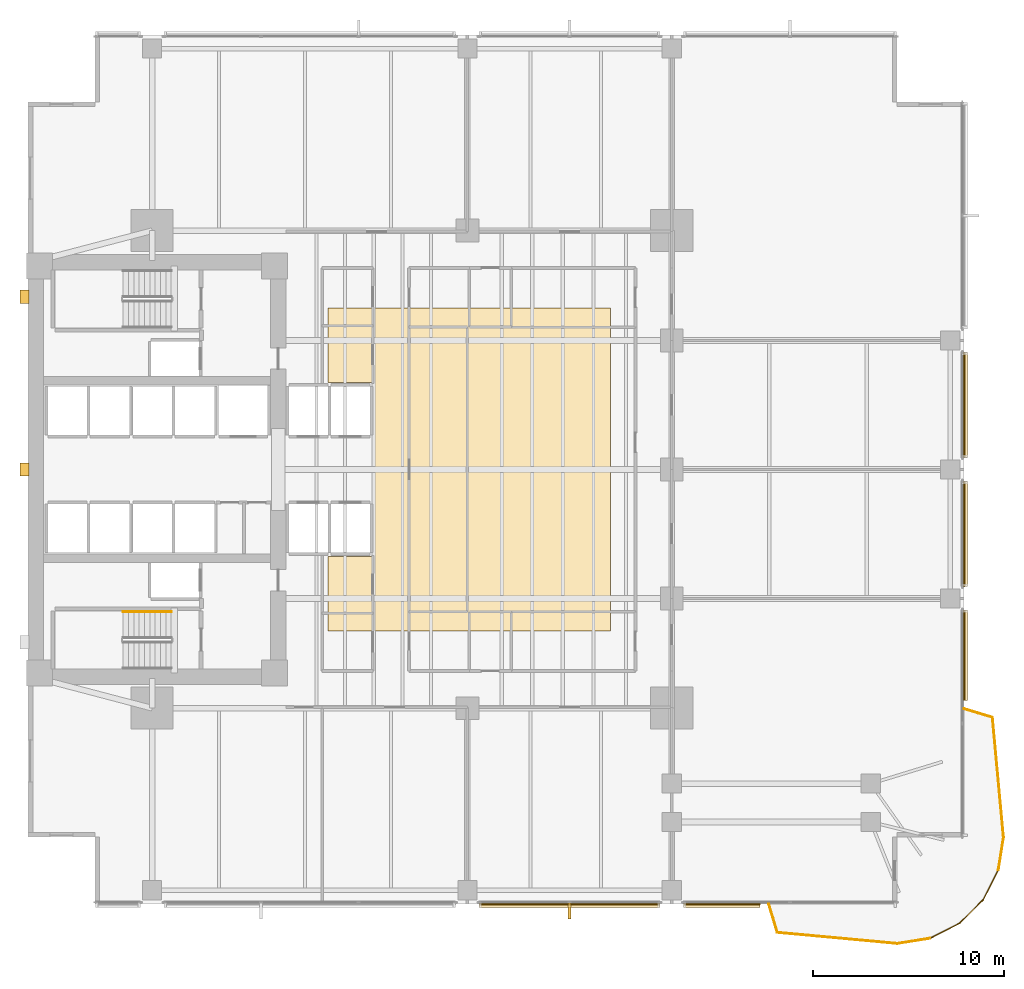
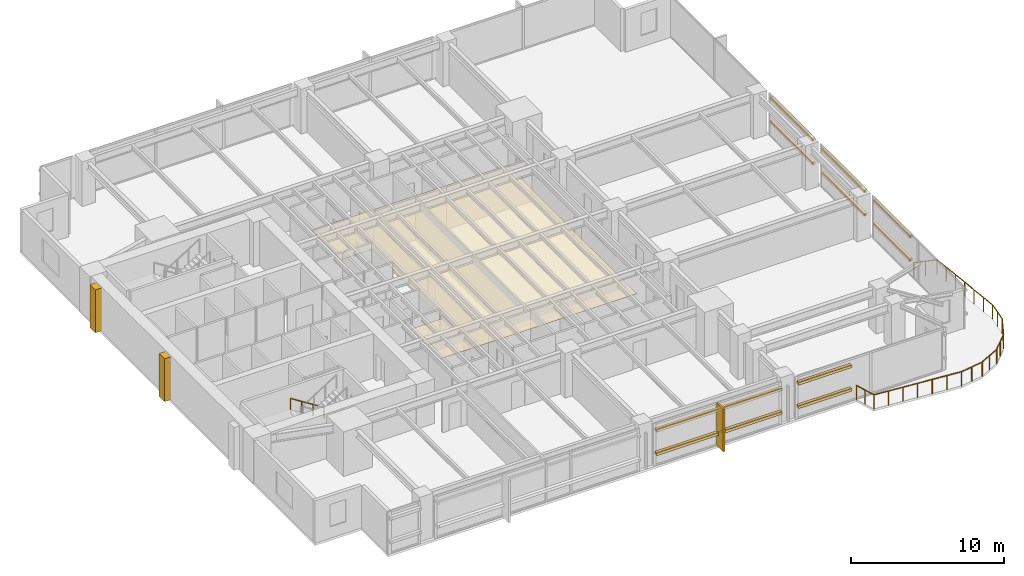
# One storey, part 13 of 15: 14 coverings, 10 railings, 10 shading devices.
"""IFC4 building model written with IfcOpenShell, lengths in metres."""

from ifc_helpers import new_model, si_unit, direction, frame, origin, origin_2d, place, context, subcontext, project, spatial, polyline, rectangle, circle, outline, extrude, material, layer, layer_set, material_profile, profile_set, type_object, element, save


model = new_model("IFC4")

# Units and contexts
model_context = context("Model", 3, precision=1e-05, world=origin(), true_north=direction((0.0, 1.0)))
body_context = subcontext(model_context, "Body", "Model", "MODEL_VIEW")
ifc_project = project(units=[si_unit("LENGTHUNIT", "METRE"), si_unit("AREAUNIT", "SQUARE_METRE"), si_unit("VOLUMEUNIT", "CUBIC_METRE"), si_unit("PLANEANGLEUNIT", "RADIAN"), si_unit("MASSUNIT", "GRAM", prefix="KILO")], contexts=[model_context])

# Site, building, storey
site_placement = place(None, origin())
site = spatial("IfcSite", under=ifc_project, at=site_placement, CompositionType="ELEMENT")
building_placement = place(site_placement, origin())
building = spatial("IfcBuilding", under=site, at=building_placement, Name="Kinhvarn Gate Tower", CompositionType="ELEMENT")
storey_placement = place(building_placement, frame((0.0, 0.0, 29.14990234375)))
storey = spatial("IfcBuildingStorey", under=building, at=storey_placement, Name="L06", CompositionType="ELEMENT", Elevation=29.14990234375)

# Coverings
ifc_material_1 = material(Name="Fired architectural terracotta", Category="masonry")
ifc_layer_1 = layer(ifc_material_1, 0.239990234375)
ifc_layer_set_1 = layer_set([ifc_layer_1], Name="Fired architectural terracotta")
covering_type_1 = type_object("IfcCoveringType", Name="COV-BAG-220", PredefinedType="CLADDING", material=ifc_layer_set_1)
for number, where, name in (
    (1, (0.0, 0.0, 0.940185546875), "Terracotta Horizontal Sunscreen Band TBG-220 (L06)"),
    (2, (0.0, 0.0, 2.81005859375), "Terracotta Horizontal Sunscreen Band TBG-220 (L06)"),
):
    element("IfcCovering", number, at=place(storey_placement, frame(where)), inside=storey, type_object=covering_type_1, Name=name, PredefinedType="CLADDING", context=body_context, shape_type="SweptSolid", body=[
        extrude(outline(polyline([(28.1201171875, 2.56005859375), (37.580078125, 2.56005859375), (37.580078125, 2.320068359375), (28.1201171875, 2.320068359375), (28.1201171875, 2.56005859375)])), origin(), (0.0, 0.0, 1.0), 0.219970703125),
    ])
for number, where, name in (
    (3, (0.0, 0.0, 0.940185546875), "Terracotta Horizontal Sunscreen Band TBG-220 (L06)"),
    (4, (0.0, 0.0, 2.81005859375), "Terracotta Horizontal Sunscreen Band TBG-220 (L06)"),
):
    element("IfcCovering", number, at=place(storey_placement, frame(where)), inside=storey, type_object=covering_type_1, Name=name, PredefinedType="CLADDING", context=body_context, shape_type="SweptSolid", body=[
        extrude(outline(polyline([(38.820068359375, 2.56005859375), (42.8330078125, 2.56005859375), (42.8330078125, 2.320068359375), (38.820068359375, 2.320068359375), (38.820068359375, 2.56005859375)])), origin(), (0.0, 0.0, 1.0), 0.219970703125),
    ])
for number, where, name in (
    (5, (0.0, 0.0, 0.940185546875), "Terracotta Horizontal Sunscreen Band TBG-220 (L06)"),
    (6, (0.0, 0.0, 2.81005859375), "Terracotta Horizontal Sunscreen Band TBG-220 (L06)"),
):
    element("IfcCovering", number, at=place(storey_placement, frame(where)), inside=storey, type_object=covering_type_1, Name=name, PredefinedType="CLADDING", context=body_context, shape_type="SweptSolid", body=[
        extrude(outline(polyline([(53.43994140625, 13.1669921875), (53.43994140625, 17.8798828125), (53.679931640625, 17.8798828125), (53.679931640625, 13.1669921875), (53.43994140625, 13.1669921875)])), origin(), (0.0, 0.0, 1.0), 0.219970703125),
    ])
for number, where, name in (
    (7, (0.0, 0.0, 0.940185546875), "Terracotta Horizontal Sunscreen Band TBG-220 (L06)"),
    (8, (0.0, 0.0, 2.81005859375), "Terracotta Horizontal Sunscreen Band TBG-220 (L06)"),
):
    element("IfcCovering", number, at=place(storey_placement, frame(where)), inside=storey, type_object=covering_type_1, Name=name, PredefinedType="CLADDING", context=body_context, shape_type="SweptSolid", body=[
        extrude(outline(polyline([(53.43994140625, 19.1201171875), (53.43994140625, 24.6298828125), (53.679931640625, 24.6298828125), (53.679931640625, 19.1201171875), (53.43994140625, 19.1201171875)])), origin(), (0.0, 0.0, 1.0), 0.219970703125),
    ])
for number, where, name in (
    (9, (0.0, 0.0, 0.940185546875), "Terracotta Horizontal Sunscreen Band TBG-220 (L06)"),
    (10, (0.0, 0.0, 2.81005859375), "Terracotta Horizontal Sunscreen Band TBG-220 (L06)"),
):
    element("IfcCovering", number, at=place(storey_placement, frame(where)), inside=storey, type_object=covering_type_1, Name=name, PredefinedType="CLADDING", context=body_context, shape_type="SweptSolid", body=[
        extrude(outline(polyline([(53.43994140625, 25.8701171875), (53.43994140625, 31.3798828125), (53.679931640625, 31.3798828125), (53.679931640625, 25.8701171875), (53.43994140625, 25.8701171875)])), origin(), (0.0, 0.0, 1.0), 0.219970703125),
    ])
ifc_material_2 = material(Name="Mineral-fibre acoustic ceiling tile")
ifc_layer_2 = layer(ifc_material_2, 0.02001953125)
ifc_layer_set_2 = layer_set([ifc_layer_2], Name="Mineral-fibre acoustic ceiling tile")
covering_type_2 = type_object("IfcCoveringType", Name="COV-CEIL-20", PredefinedType="CEILING", material=ifc_layer_set_2)
covering_1_placement = place(storey_placement, frame((0.0, 0.0, 2.650146484375)))
element("IfcCovering", 11, at=covering_1_placement, inside=storey, type_object=covering_type_2, Name="Suspended Acoustic Ceiling Tile (L06-1)", PredefinedType="CEILING", context=body_context, shape_type="SweptSolid", body=[
    extrude(outline(polyline([(35.0, 33.699951171875), (35.0, 16.800048828125), (20.199951171875, 16.800048828125), (20.199951171875, 20.699951171875), (22.60009765625, 20.699951171875), (22.60009765625, 29.800048828125), (20.199951171875, 29.800048828125), (20.199951171875, 33.699951171875), (35.0, 33.699951171875)])), origin(), (0.0, 0.0, 1.0), 0.02001953125),
])
ifc_layer_3 = layer(ifc_material_1, 0.139892578125)
ifc_layer_set_3 = layer_set([ifc_layer_3], Name="Fired architectural terracotta")
covering_type_3 = type_object("IfcCoveringType", Name="COV-FIN-850", PredefinedType="CLADDING", material=ifc_layer_set_3)
covering_2_placement = place(storey_placement, frame((0.0, 0.0, -0.02001953125)))
element("IfcCovering", 12, at=covering_2_placement, inside=storey, type_object=covering_type_3, Name="Vertical Terracotta Expressive Fin TFN-850 (L06)", PredefinedType="CLADDING", context=body_context, shape_type="SweptSolid", body=[
    extrude(outline(polyline([(32.780029296875, 2.570068359375), (32.919921875, 2.570068359375), (32.919921875, 1.719970703125), (32.780029296875, 1.719970703125), (32.780029296875, 2.570068359375)])), origin(), (0.0, 0.0, 1.0), 3.41015625),
])
ifc_material_3 = material(Name="Precast white architectural concrete C40/50", Category="concrete")
ifc_layer_4 = layer(ifc_material_3, 0.47998046875)
ifc_layer_set_4 = layer_set([ifc_layer_4], Name="Precast white architectural concrete C40/50")
covering_type_4 = type_object("IfcCoveringType", Name="COV-RIB-450", PredefinedType="CLADDING", material=ifc_layer_set_4)
covering_3_placement = place(storey_placement, frame((0.0, 0.0, -0.02001953125)))
element("IfcCovering", 13, at=covering_3_placement, inside=storey, type_object=covering_type_4, Name="West Core Sculptural Concrete Relief Rib CRB-450 (L06)", PredefinedType="CLADDING", context=body_context, shape_type="SweptSolid", body=[
    extrude(outline(polyline([(4.080078125, 24.89990234375), (4.56005859375, 24.89990234375), (4.56005859375, 25.60009765625), (4.080078125, 25.60009765625), (4.080078125, 24.89990234375)])), origin(), (0.0, 0.0, 1.0), 3.41015625),
])
covering_4_placement = place(storey_placement, frame((0.0, 0.0, -0.02001953125)))
element("IfcCovering", 14, at=covering_4_placement, inside=storey, type_object=covering_type_4, Name="West Core Sculptural Concrete Relief Rib CRB-450 (L06)", PredefinedType="CLADDING", context=body_context, shape_type="SweptSolid", body=[
    extrude(outline(polyline([(4.080078125, 33.949951171875), (4.56005859375, 33.949951171875), (4.56005859375, 34.64990234375), (4.080078125, 34.64990234375), (4.080078125, 33.949951171875)])), origin(), (0.0, 0.0, 1.0), 3.41015625),
])

# Railings
ifc_material_4 = material(Name="Clear low-e double glazing", Category="glass")
railing_type_1 = type_object("IfcRailingType", Name="RL-BAL-1150", PredefinedType="BALUSTRADE", material=ifc_material_4)
railing_1_placement = place(storey_placement, frame((43.282958984375, 2.5, 0.0)))
element("IfcRailing", 15, at=railing_1_placement, inside=storey, type_object=railing_type_1, Name="S-Carve Balcony Guardrail Seg 1 (L06)", PredefinedType="BALUSTRADE", context=body_context, shape_type="SweptSolid", body=[
    extrude(circle(Radius=0.02392578125, at=origin_2d()), frame((0.0, 0.0, 1.1259765625), z_axis=(0.289001880365, -0.95732852937, 0.0), x_axis=(0.95732852937, 0.289001880365, 0.0)), (0.0, 0.0, 1.0), 1.556884765625),
    extrude(circle(Radius=0.02099609375, at=origin_2d()), origin(), (0.0, 0.0, 1.0), 1.101806640625),
    extrude(circle(Radius=0.02099609375, at=origin_2d()), frame((0.22509765625, -0.7451171875, 0.0)), (0.0, 0.0, 1.0), 1.101806640625),
    extrude(circle(Radius=0.02099609375, at=origin_2d()), frame((0.449951171875, -1.490478515625, 0.0)), (0.0, 0.0, 1.0), 1.101806640625),
])
railing_2_placement = place(storey_placement, frame((43.73291015625, 1.009521484375, 0.0)))
element("IfcRailing", 16, at=railing_2_placement, inside=storey, type_object=railing_type_1, Name="S-Carve Balcony Guardrail Seg 2 (L06)", PredefinedType="BALUSTRADE", context=body_context, shape_type="SweptSolid", body=[
    extrude(circle(Radius=0.02392578125, at=origin_2d()), frame((0.0, 0.0, 1.1259765625), z_axis=(0.995750823964, -0.092088525753, 0.0), x_axis=(0.092088525753, 0.995750823964, 0.0)), (0.0, 0.0, 1.0), 6.2939453125),
    extrude(circle(Radius=0.02099609375, at=origin_2d()), origin(), (0.0, 0.0, 1.0), 1.101806640625),
    extrude(circle(Radius=0.02099609375, at=origin_2d()), frame((1.04443359375, -0.0966796875, 0.0)), (0.0, 0.0, 1.0), 1.101806640625),
    extrude(circle(Radius=0.02099609375, at=origin_2d()), frame((2.089111328125, -0.193115234375, 0.0)), (0.0, 0.0, 1.0), 1.101806640625),
    extrude(circle(Radius=0.02099609375, at=origin_2d()), frame((3.133544921875, -0.289794921875, 0.0)), (0.0, 0.0, 1.0), 1.101806640625),
    extrude(circle(Radius=0.02099609375, at=origin_2d()), frame((4.177978515625, -0.386474609375, 0.0)), (0.0, 0.0, 1.0), 1.101806640625),
    extrude(circle(Radius=0.02099609375, at=origin_2d()), frame((5.22265625, -0.48291015625, 0.0)), (0.0, 0.0, 1.0), 1.101806640625),
    extrude(circle(Radius=0.02099609375, at=origin_2d()), frame((6.26708984375, -0.57958984375, 0.0)), (0.0, 0.0, 1.0), 1.101806640625),
])
railing_3_placement = place(storey_placement, frame((50.0, 0.429931640625, 0.0)))
element("IfcRailing", 17, at=railing_3_placement, inside=storey, type_object=railing_type_1, Name="S-Carve Balcony Guardrail Seg 3 (L06)", PredefinedType="BALUSTRADE", context=body_context, shape_type="SweptSolid", body=[
    extrude(circle(Radius=0.02392578125, at=origin_2d()), frame((0.0, 0.0, 1.1259765625), z_axis=(0.987679903771, 0.156487723761, 0.0), x_axis=(-0.156487723761, 0.987679903771, 0.0)), (0.0, 0.0, 1.0), 1.74267578125),
    extrude(circle(Radius=0.02099609375, at=origin_2d()), origin(), (0.0, 0.0, 1.0), 1.101806640625),
    extrude(circle(Radius=0.02099609375, at=origin_2d()), frame((0.860595703125, 0.13623046875, 0.0)), (0.0, 0.0, 1.0), 1.101806640625),
    extrude(circle(Radius=0.02099609375, at=origin_2d()), frame((1.72119140625, 0.272705078125, 0.0)), (0.0, 0.0, 1.0), 1.101806640625),
])
railing_4_placement = place(storey_placement, frame((51.72119140625, 0.70263671875, 0.0)))
element("IfcRailing", 18, at=railing_4_placement, inside=storey, type_object=railing_type_1, Name="S-Carve Balcony Guardrail Seg 4 (L06)", PredefinedType="BALUSTRADE", context=body_context, shape_type="SweptSolid", body=[
    extrude(circle(Radius=0.02392578125, at=origin_2d()), frame((0.0, 0.0, 1.1259765625), z_axis=(0.89098282764, 0.454037003834, 0.0), x_axis=(-0.454037003834, 0.89098282764, 0.0)), (0.0, 0.0, 1.0), 1.74267578125),
    extrude(circle(Radius=0.02099609375, at=origin_2d()), origin(), (0.0, 0.0, 1.0), 1.101806640625),
    extrude(circle(Radius=0.02099609375, at=origin_2d()), frame((0.7763671875, 0.3955078125, 0.0)), (0.0, 0.0, 1.0), 1.101806640625),
    extrude(circle(Radius=0.02099609375, at=origin_2d()), frame((1.552734375, 0.791259765625, 0.0)), (0.0, 0.0, 1.0), 1.101806640625),
])
railing_5_placement = place(storey_placement, frame((53.27392578125, 1.493896484375, 0.0)))
element("IfcRailing", 19, at=railing_5_placement, inside=storey, type_object=railing_type_1, Name="S-Carve Balcony Guardrail Seg 5 (L06)", PredefinedType="BALUSTRADE", context=body_context, shape_type="SweptSolid", body=[
    extrude(circle(Radius=0.02392578125, at=origin_2d()), frame((0.0, 0.0, 1.1259765625), z_axis=(0.707106781187, 0.707106781187, 0.0), x_axis=(-0.707106781187, 0.707106781187, 0.0)), (0.0, 0.0, 1.0), 1.74267578125),
    extrude(circle(Radius=0.02099609375, at=origin_2d()), origin(), (0.0, 0.0, 1.0), 1.101806640625),
    extrude(circle(Radius=0.02099609375, at=origin_2d()), frame((0.6162109375, 0.6162109375, 0.0)), (0.0, 0.0, 1.0), 1.101806640625),
    extrude(circle(Radius=0.02099609375, at=origin_2d()), frame((1.232177734375, 1.232177734375, 0.0)), (0.0, 0.0, 1.0), 1.101806640625),
])
railing_6_placement = place(storey_placement, frame((54.506103515625, 2.72607421875, 0.0)))
element("IfcRailing", 20, at=railing_6_placement, inside=storey, type_object=railing_type_1, Name="S-Carve Balcony Guardrail Seg 6 (L06)", PredefinedType="BALUSTRADE", context=body_context, shape_type="SweptSolid", body=[
    extrude(circle(Radius=0.02392578125, at=origin_2d()), frame((0.0, 0.0, 1.1259765625), z_axis=(0.454037003834, 0.89098282764, 0.0), x_axis=(-0.89098282764, 0.454037003834, 0.0)), (0.0, 0.0, 1.0), 1.74267578125),
    extrude(circle(Radius=0.02099609375, at=origin_2d()), origin(), (0.0, 0.0, 1.0), 1.101806640625),
    extrude(circle(Radius=0.02099609375, at=origin_2d()), frame((0.3955078125, 0.7763671875, 0.0)), (0.0, 0.0, 1.0), 1.101806640625),
    extrude(circle(Radius=0.02099609375, at=origin_2d()), frame((0.791259765625, 1.552734375, 0.0)), (0.0, 0.0, 1.0), 1.101806640625),
])
railing_7_placement = place(storey_placement, frame((55.29736328125, 4.27880859375, 0.0)))
element("IfcRailing", 21, at=railing_7_placement, inside=storey, type_object=railing_type_1, Name="S-Carve Balcony Guardrail Seg 7 (L06)", PredefinedType="BALUSTRADE", context=body_context, shape_type="SweptSolid", body=[
    extrude(circle(Radius=0.02392578125, at=origin_2d()), frame((0.0, 0.0, 1.1259765625), z_axis=(0.156487723761, 0.987679903771, 0.0), x_axis=(-0.987679903771, 0.156487723761, 0.0)), (0.0, 0.0, 1.0), 1.74267578125),
    extrude(circle(Radius=0.02099609375, at=origin_2d()), origin(), (0.0, 0.0, 1.0), 1.101806640625),
    extrude(circle(Radius=0.02099609375, at=origin_2d()), frame((0.13623046875, 0.860595703125, 0.0)), (0.0, 0.0, 1.0), 1.101806640625),
    extrude(circle(Radius=0.02099609375, at=origin_2d()), frame((0.272705078125, 1.72119140625, 0.0)), (0.0, 0.0, 1.0), 1.101806640625),
])
railing_8_placement = place(storey_placement, frame((55.570068359375, 6.0, 0.0)))
element("IfcRailing", 22, at=railing_8_placement, inside=storey, type_object=railing_type_1, Name="S-Carve Balcony Guardrail Seg 8 (L06)", PredefinedType="BALUSTRADE", context=body_context, shape_type="SweptSolid", body=[
    extrude(circle(Radius=0.02392578125, at=origin_2d()), frame((0.0, 0.0, 1.1259765625), z_axis=(-0.092088525753, 0.995750823964, 0.0), x_axis=(-0.995750823964, -0.092088525753, 0.0)), (0.0, 0.0, 1.0), 6.2939453125),
    extrude(circle(Radius=0.02099609375, at=origin_2d()), origin(), (0.0, 0.0, 1.0), 1.101806640625),
    extrude(circle(Radius=0.02099609375, at=origin_2d()), frame((-0.0966796875, 1.04443359375, 0.0)), (0.0, 0.0, 1.0), 1.101806640625),
    extrude(circle(Radius=0.02099609375, at=origin_2d()), frame((-0.193115234375, 2.089111328125, 0.0)), (0.0, 0.0, 1.0), 1.101806640625),
    extrude(circle(Radius=0.02099609375, at=origin_2d()), frame((-0.289794921875, 3.133544921875, 0.0)), (0.0, 0.0, 1.0), 1.101806640625),
    extrude(circle(Radius=0.02099609375, at=origin_2d()), frame((-0.386474609375, 4.177978515625, 0.0)), (0.0, 0.0, 1.0), 1.101806640625),
    extrude(circle(Radius=0.02099609375, at=origin_2d()), frame((-0.48291015625, 5.22265625, 0.0)), (0.0, 0.0, 1.0), 1.101806640625),
    extrude(circle(Radius=0.02099609375, at=origin_2d()), frame((-0.57958984375, 6.26708984375, 0.0)), (0.0, 0.0, 1.0), 1.101806640625),
])
railing_9_placement = place(storey_placement, frame((54.990478515625, 12.26708984375, 0.0)))
element("IfcRailing", 23, at=railing_9_placement, inside=storey, type_object=railing_type_1, Name="S-Carve Balcony Guardrail Seg 9 (L06)", PredefinedType="BALUSTRADE", context=body_context, shape_type="SweptSolid", body=[
    extrude(circle(Radius=0.02392578125, at=origin_2d()), frame((0.0, 0.0, 1.1259765625), z_axis=(-0.95732852937, 0.289001880365, 0.0), x_axis=(-0.289001880365, -0.95732852937, 0.0)), (0.0, 0.0, 1.0), 1.556884765625),
    extrude(circle(Radius=0.02099609375, at=origin_2d()), origin(), (0.0, 0.0, 1.0), 1.101806640625),
    extrude(circle(Radius=0.02099609375, at=origin_2d()), frame((-0.7451171875, 0.22509765625, 0.0)), (0.0, 0.0, 1.0), 1.101806640625),
    extrude(circle(Radius=0.02099609375, at=origin_2d()), frame((-1.490478515625, 0.449951171875, 0.0)), (0.0, 0.0, 1.0), 1.101806640625),
])
ifc_material_5 = material(Name="Steel S355", Category="steel")
railing_type_2 = type_object("IfcRailingType", Name="RL-ST-HND", PredefinedType="HANDRAIL", material=ifc_material_5)
railing_10_placement = place(storey_placement, frame((12.0, 17.800048828125, 0.177490234375)))
element("IfcRailing", 24, at=railing_10_placement, inside=storey, type_object=railing_type_2, Name="L06 ST1 stair handrail 1", PredefinedType="HANDRAIL", context=body_context, shape_type="SweptSolid", body=[
    extrude(circle(Radius=0.02392578125, at=origin_2d()), frame((0.0, 0.0, 0.8759765625), z_axis=(-0.84456994832, 0.0, 0.535445237532), x_axis=(0.0, -1.0, 0.0)), (0.0, 0.0, 1.0), 2.98388671875),
    extrude(circle(Radius=0.02099609375, at=origin_2d()), origin(), (0.0, 0.0, 1.0), 0.851806640625),
    extrude(circle(Radius=0.02099609375, at=origin_2d()), frame((-0.840087890625, 0.0, 0.532470703125)), (0.0, 0.0, 1.0), 0.851806640625),
    extrude(circle(Radius=0.02099609375, at=origin_2d()), frame((-1.679931640625, 0.0, 1.065185546875)), (0.0, 0.0, 1.0), 0.851806640625),
    extrude(circle(Radius=0.02099609375, at=origin_2d()), frame((-2.52001953125, 0.0, 1.59765625)), (0.0, 0.0, 1.0), 0.851806640625),
])

# Shading devices
ifc_material_profile = material_profile(ifc_material_1, rectangle(XDim=0.06005859375, YDim=0.139892578125, at=origin_2d()), Name="TC 60x140")
ifc_profile_set = profile_set([ifc_material_profile], Name="Fired architectural terracotta")
shading_device_type = type_object("IfcShadingDeviceType", Name="SHD-BAG-180", PredefinedType="USERDEFINED", material=ifc_profile_set)
for number, where, z_axis, x_axis, name in (
    (25, (28.1201171875, 2.485107421875, 1.050048828125), (1.0, 0.0, 0.0), (0.0, 1.0, 0.0), "Fired Terracotta Baguette Screen Rod 60x140 mm (L06)"),
    (26, (28.1201171875, 2.485107421875, 2.920166015625), (1.0, 0.0, 0.0), (0.0, 1.0, 0.0), "Fired Terracotta Baguette Screen Rod 60x140 mm (L06)"),
):
    element("IfcShadingDevice", number, at=place(storey_placement, frame(where, z_axis=z_axis, x_axis=x_axis)), inside=storey, type_object=shading_device_type, Name=name, ObjectType="BAGUETTE", PredefinedType="USERDEFINED", context=body_context, shape_type="SweptSolid", body=[
        extrude(rectangle(XDim=0.06005859375, YDim=0.139892578125, at=origin_2d()), origin(), (0.0, 0.0, 1.0), 9.4599609375),
    ])
for number, where, z_axis, x_axis, name in (
    (27, (38.820068359375, 2.485107421875, 1.050048828125), (1.0, 0.0, 0.0), (0.0, 1.0, 0.0), "Fired Terracotta Baguette Screen Rod 60x140 mm (L06)"),
    (28, (38.820068359375, 2.485107421875, 2.920166015625), (1.0, 0.0, 0.0), (0.0, 1.0, 0.0), "Fired Terracotta Baguette Screen Rod 60x140 mm (L06)"),
):
    element("IfcShadingDevice", number, at=place(storey_placement, frame(where, z_axis=z_axis, x_axis=x_axis)), inside=storey, type_object=shading_device_type, Name=name, ObjectType="BAGUETTE", PredefinedType="USERDEFINED", context=body_context, shape_type="SweptSolid", body=[
        extrude(rectangle(XDim=0.06005859375, YDim=0.139892578125, at=origin_2d()), origin(), (0.0, 0.0, 1.0), 4.012939453125),
    ])
for number, where, z_axis, x_axis, name in (
    (29, (53.514892578125, 13.1669921875, 1.050048828125), (0.0, 1.0, 0.0), (-1.0, 0.0, 0.0), "Fired Terracotta Baguette Screen Rod 60x140 mm (L06)"),
    (30, (53.514892578125, 13.1669921875, 2.920166015625), (0.0, 1.0, 0.0), (-1.0, 0.0, 0.0), "Fired Terracotta Baguette Screen Rod 60x140 mm (L06)"),
):
    element("IfcShadingDevice", number, at=place(storey_placement, frame(where, z_axis=z_axis, x_axis=x_axis)), inside=storey, type_object=shading_device_type, Name=name, ObjectType="BAGUETTE", PredefinedType="USERDEFINED", context=body_context, shape_type="SweptSolid", body=[
        extrude(rectangle(XDim=0.06005859375, YDim=0.139892578125, at=origin_2d()), origin(), (0.0, 0.0, 1.0), 4.712890625),
    ])
for number, where, z_axis, x_axis, name in (
    (31, (53.514892578125, 19.1201171875, 1.050048828125), (0.0, 1.0, 0.0), (-1.0, 0.0, 0.0), "Fired Terracotta Baguette Screen Rod 60x140 mm (L06)"),
    (32, (53.514892578125, 19.1201171875, 2.920166015625), (0.0, 1.0, 0.0), (-1.0, 0.0, 0.0), "Fired Terracotta Baguette Screen Rod 60x140 mm (L06)"),
    (33, (53.514892578125, 25.8701171875, 1.050048828125), (0.0, 1.0, 0.0), (-1.0, 0.0, 0.0), "Fired Terracotta Baguette Screen Rod 60x140 mm (L06)"),
    (34, (53.514892578125, 25.8701171875, 2.920166015625), (0.0, 1.0, 0.0), (-1.0, 0.0, 0.0), "Fired Terracotta Baguette Screen Rod 60x140 mm (L06)"),
):
    element("IfcShadingDevice", number, at=place(storey_placement, frame(where, z_axis=z_axis, x_axis=x_axis)), inside=storey, type_object=shading_device_type, Name=name, ObjectType="BAGUETTE", PredefinedType="USERDEFINED", context=body_context, shape_type="SweptSolid", body=[
        extrude(rectangle(XDim=0.06005859375, YDim=0.139892578125, at=origin_2d()), origin(), (0.0, 0.0, 1.0), 5.509765625),
    ])

save(model, "model.ifc")
